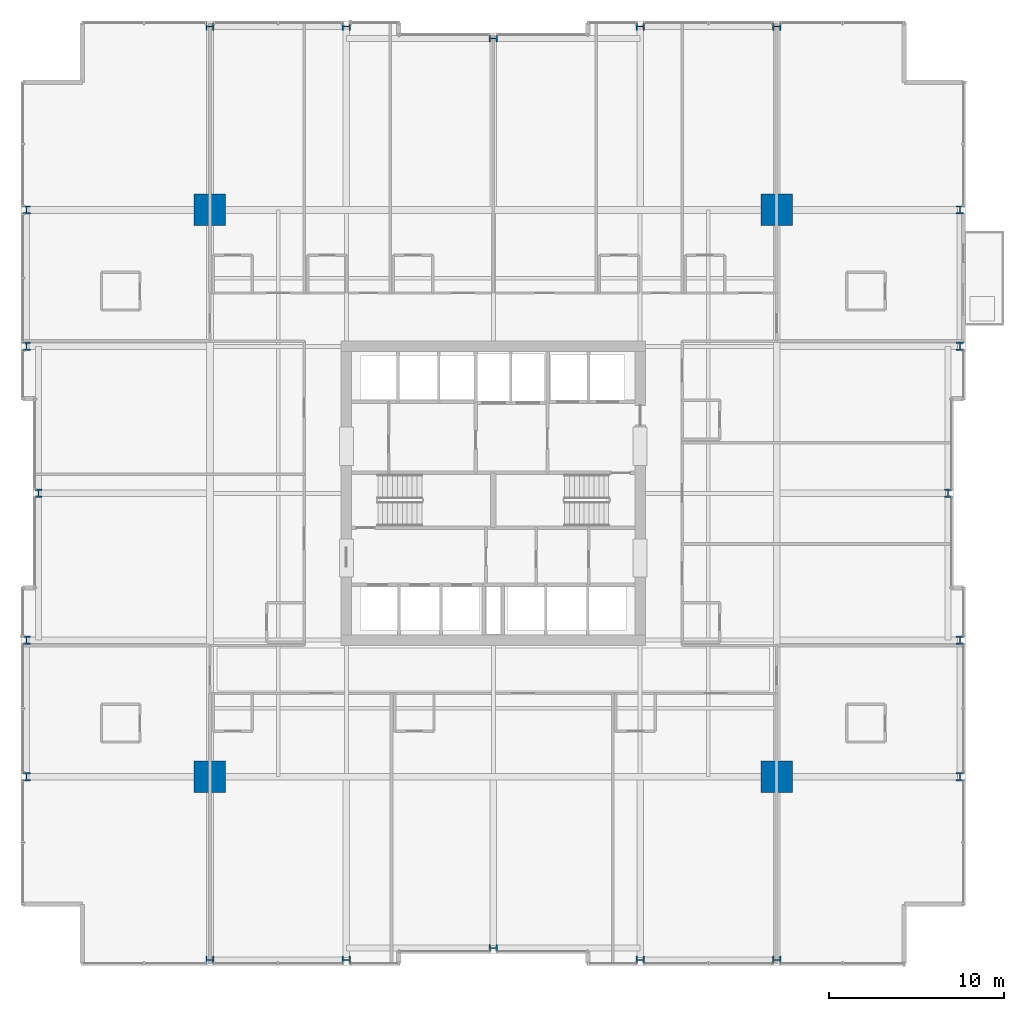
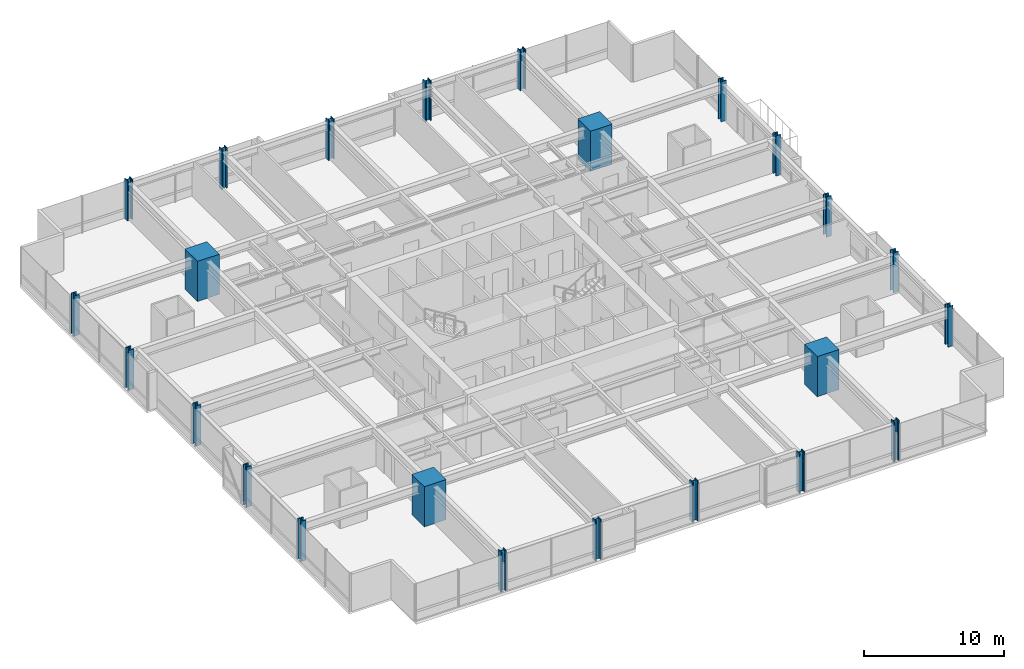
# One storey, part 1 of 38: 24 columns.
"""IFC4 building model written with IfcOpenShell, lengths in metres."""

from ifc_helpers import new_model, si_unit, direction, frame, origin, origin_2d, place, context, subcontext, project, spatial, rectangle, i_section, extrude, material, material_profile, profile_set, type_object, element, save


model = new_model("IFC4")

# Units and contexts
model_context = context("Model", 3, precision=1e-05, world=origin(), true_north=direction((0.0, 1.0)))
body_context = subcontext(model_context, "Body", "Model", "MODEL_VIEW")
ifc_project = project(units=[si_unit("LENGTHUNIT", "METRE"), si_unit("AREAUNIT", "SQUARE_METRE"), si_unit("VOLUMEUNIT", "CUBIC_METRE"), si_unit("PLANEANGLEUNIT", "RADIAN"), si_unit("MASSUNIT", "GRAM", prefix="KILO")], contexts=[model_context])

# Site, building, storey
site_placement = place(None, origin())
site = spatial("IfcSite", under=ifc_project, at=site_placement, CompositionType="ELEMENT")
building_placement = place(site_placement, origin())
building = spatial("IfcBuilding", under=site, at=building_placement, Name="Drelvath Grand Hotel", CompositionType="ELEMENT")
storey_placement = place(building_placement, frame((0.0, 0.0, 68.199951171875)))
storey = spatial("IfcBuildingStorey", under=building, at=storey_placement, Name="L16", CompositionType="ELEMENT", Elevation=68.199951171875)

# Columns
ifc_material_1 = material(Name="Concrete f'c 70 MPa", Category="concrete")
ifc_material_profile_1 = material_profile(ifc_material_1, rectangle(XDim=1.800048828125, YDim=1.800048828125, at=origin_2d()), Name="MC1800X1800")
ifc_profile_set_1 = profile_set([ifc_material_profile_1], Name="Concrete f'c 70 MPa")
column_type_1 = type_object("IfcColumnType", Name="Composite Mega Column MC1800X1800", PredefinedType="COLUMN", material=ifc_profile_set_1)
for number, where, z_axis, x_axis, name in (
    (1, (-16.199951171875, 10.800048828125, 0.0), (0.0, 0.0, 1.0), (1.0, 0.0, 0.0), "L16 Composite Mega Column MC-SW"),
    (2, (16.199951171875, 10.800048828125, 0.0), (0.0, 0.0, 1.0), (1.0, 0.0, 0.0), "L16 Composite Mega Column MC-SE"),
    (3, (-16.199951171875, 43.199951171875, 0.0), (0.0, 0.0, 1.0), (1.0, 0.0, 0.0), "L16 Composite Mega Column MC-NW"),
    (4, (16.199951171875, 43.199951171875, 0.0), (0.0, 0.0, 1.0), (1.0, 0.0, 0.0), "L16 Composite Mega Column MC-NE"),
):
    element("IfcColumn", number, at=place(storey_placement, frame(where, z_axis=z_axis, x_axis=x_axis)), inside=storey, type_object=column_type_1, Name=name, PredefinedType="COLUMN", context=body_context, shape_type="SweptSolid", body=[
        extrude(rectangle(XDim=1.800048828125, YDim=1.800048828125, at=origin_2d()), origin(), (0.0, 0.0, 1.0), 3.5),
    ])
ifc_material_2 = material(Name="Steel ASTM A913 Gr 65", Category="steel")
ifc_material_profile_2 = material_profile(ifc_material_2, i_section(OverallWidth=0.424072265625, OverallDepth=0.47412109375, WebThickness=0.047607421875, FlangeThickness=0.0771484375, FilletRadius=0.030029296875, at=origin_2d()), Name="W14X426")
ifc_profile_set_2 = profile_set([ifc_material_profile_2], Name="Steel ASTM A913 Gr 65")
column_type_2 = type_object("IfcColumnType", Name="Perimeter Steel Column W14X426", PredefinedType="COLUMN", material=ifc_profile_set_2)
for number, where, z_axis, x_axis, name in (
    (5, (-26.679931640625, 10.800048828125, 0.0), (0.0, 0.0, 1.0), (1.0, 0.0, 0.0), "L16 Structural Column TCW-C"),
    (6, (26.679931640625, 10.800048828125, 0.0), (0.0, 0.0, 1.0), (1.0, 0.0, 0.0), "L16 Structural Column TCE-C"),
    (7, (-26.679931640625, 18.60009765625, 0.0), (0.0, 0.0, 1.0), (1.0, 0.0, 0.0), "L16 Structural Column TCW-D"),
    (8, (26.679931640625, 18.60009765625, 0.0), (0.0, 0.0, 1.0), (1.0, 0.0, 0.0), "L16 Structural Column TCE-D"),
    (9, (-26.0, 27.0, 0.0), (0.0, 0.0, 1.0), (1.0, 0.0, 0.0), "L16 Structural Column TCW-E"),
    (10, (26.0, 27.0, 0.0), (0.0, 0.0, 1.0), (1.0, 0.0, 0.0), "L16 Structural Column TCE-E"),
    (11, (-26.679931640625, 35.39990234375, 0.0), (0.0, 0.0, 1.0), (1.0, 0.0, 0.0), "L16 Structural Column TCW-F"),
    (12, (26.679931640625, 35.39990234375, 0.0), (0.0, 0.0, 1.0), (1.0, 0.0, 0.0), "L16 Structural Column TCE-F"),
    (13, (-26.679931640625, 43.199951171875, 0.0), (0.0, 0.0, 1.0), (1.0, 0.0, 0.0), "L16 Structural Column TCW-G"),
    (14, (26.679931640625, 43.199951171875, 0.0), (0.0, 0.0, 1.0), (1.0, 0.0, 0.0), "L16 Structural Column TCE-G"),
    (15, (-16.199951171875, 0.320068359375, 0.0), (0.0, 0.0, 1.0), (0.0, 1.0, 0.0), "L16 Structural Column TCS-3"),
    (16, (-16.199951171875, 53.679931640625, 0.0), (0.0, 0.0, 1.0), (0.0, 1.0, 0.0), "L16 Structural Column TCN-3"),
    (17, (-8.39990234375, 0.320068359375, 0.0), (0.0, 0.0, 1.0), (0.0, 1.0, 0.0), "L16 Structural Column TCS-4"),
    (18, (-8.39990234375, 53.679931640625, 0.0), (0.0, 0.0, 1.0), (0.0, 1.0, 0.0), "L16 Structural Column TCN-4"),
    (19, (0.0, 1.0, 0.0), (0.0, 0.0, 1.0), (0.0, 1.0, 0.0), "L16 Structural Column TCS-5"),
    (20, (0.0, 53.0, 0.0), (0.0, 0.0, 1.0), (0.0, 1.0, 0.0), "L16 Structural Column TCN-5"),
    (21, (8.39990234375, 0.320068359375, 0.0), (0.0, 0.0, 1.0), (0.0, 1.0, 0.0), "L16 Structural Column TCS-6"),
    (22, (8.39990234375, 53.679931640625, 0.0), (0.0, 0.0, 1.0), (0.0, 1.0, 0.0), "L16 Structural Column TCN-6"),
    (23, (16.199951171875, 0.320068359375, 0.0), (0.0, 0.0, 1.0), (0.0, 1.0, 0.0), "L16 Structural Column TCS-7"),
    (24, (16.199951171875, 53.679931640625, 0.0), (0.0, 0.0, 1.0), (0.0, 1.0, 0.0), "L16 Structural Column TCN-7"),
):
    element("IfcColumn", number, at=place(storey_placement, frame(where, z_axis=z_axis, x_axis=x_axis)), inside=storey, type_object=column_type_2, Name=name, PredefinedType="COLUMN", context=body_context, shape_type="SweptSolid", body=[
        extrude(i_section(OverallWidth=0.424072265625, OverallDepth=0.47412109375, WebThickness=0.047607421875, FlangeThickness=0.0771484375, FilletRadius=0.030029296875, at=origin_2d()), origin(), (0.0, 0.0, 1.0), 3.4970703125),
    ])

save(model, "model.ifc")
